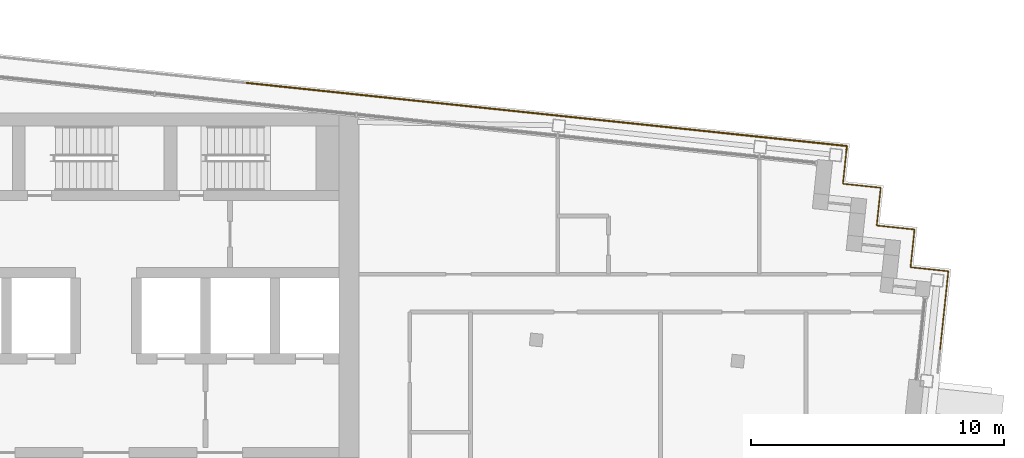
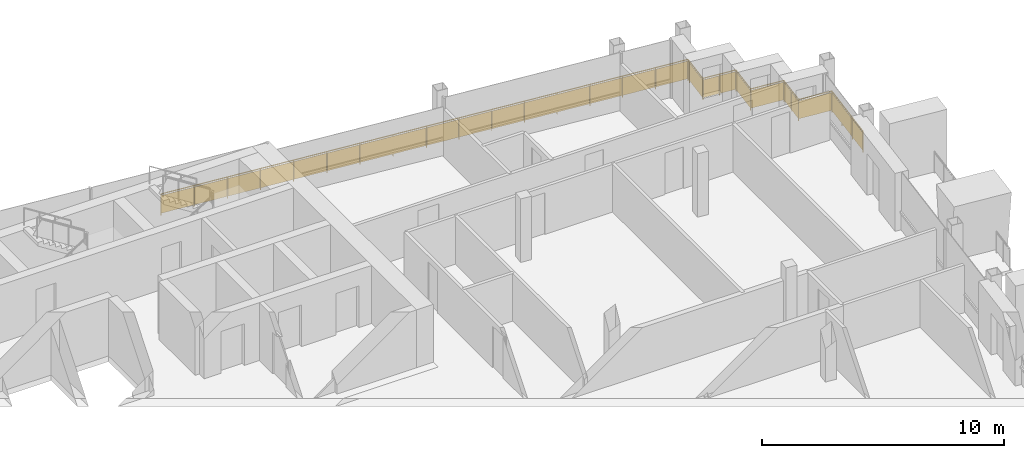
# One storey, part 17 of 17: 3 railings.
"""IFC4 building model written with IfcOpenShell, lengths in metres."""

from ifc_helpers import new_model, si_unit, direction, frame, origin, origin_2d, place, context, subcontext, project, spatial, rectangle, circle, extrude, material, type_object, element, save


model = new_model("IFC4")

# Units and contexts
model_context = context("Model", 3, precision=1e-05, world=origin(), true_north=direction((0.0, 1.0)))
body_context = subcontext(model_context, "Body", "Model", "MODEL_VIEW")
ifc_project = project(units=[si_unit("LENGTHUNIT", "METRE"), si_unit("AREAUNIT", "SQUARE_METRE"), si_unit("VOLUMEUNIT", "CUBIC_METRE"), si_unit("PLANEANGLEUNIT", "RADIAN"), si_unit("MASSUNIT", "GRAM", prefix="KILO")], contexts=[model_context])

# Site, building, storey
site_placement = place(None, origin())
site = spatial("IfcSite", under=ifc_project, at=site_placement, CompositionType="ELEMENT")
building_placement = place(site_placement, origin())
building = spatial("IfcBuilding", under=site, at=building_placement, Name="Vidyagriha Tower", CompositionType="ELEMENT")
storey_placement = place(building_placement, frame((0.0, 0.0, 265.89990234375)))
storey = spatial("IfcBuildingStorey", under=building, at=storey_placement, Name="L69", CompositionType="ELEMENT", Elevation=265.89990234375)

# Railings
ifc_material = material(Name="Steel ASTM A500 Grade C black painted", Category="steel")
railing_type = type_object("IfcRailingType", Name="Gallery guard 1100", PredefinedType="GUARDRAIL", material=ifc_material)
railing_1_placement = place(storey_placement, frame((5.55224609375, 21.196533203125, 0.0)))
element("IfcRailing", 1, at=railing_1_placement, inside=storey, type_object=railing_type, Name="Gallery guard L69 7", PredefinedType="GUARDRAIL", context=body_context, shape_type="SweptSolid", body=[
    extrude(circle(Radius=0.02490234375, at=origin_2d()), frame((0.0, 0.0, 1.0751953125), z_axis=(0.994521271903, -0.104534394972, 0.0), x_axis=(0.104534394972, 0.994521271903, 0.0)), (0.0, 0.0, 1.0), 11.999755859375),
    extrude(circle(Radius=0.02001953125, at=origin_2d()), origin(), (0.0, 0.0, 1.0), 1.050048828125),
    extrude(circle(Radius=0.02001953125, at=origin_2d()), frame((1.49169921875, -0.15673828125, 0.0)), (0.0, 0.0, 1.0), 1.050048828125),
    extrude(circle(Radius=0.02001953125, at=origin_2d()), frame((2.9833984375, -0.3134765625, 0.0)), (0.0, 0.0, 1.0), 1.050048828125),
    extrude(circle(Radius=0.02001953125, at=origin_2d()), frame((4.475341796875, -0.470458984375, 0.0)), (0.0, 0.0, 1.0), 1.050048828125),
    extrude(circle(Radius=0.02001953125, at=origin_2d()), frame((5.967041015625, -0.627197265625, 0.0)), (0.0, 0.0, 1.0), 1.050048828125),
    extrude(circle(Radius=0.02001953125, at=origin_2d()), frame((7.458740234375, -0.783935546875, 0.0)), (0.0, 0.0, 1.0), 1.050048828125),
    extrude(circle(Radius=0.02001953125, at=origin_2d()), frame((8.95068359375, -0.94091796875, 0.0)), (0.0, 0.0, 1.0), 1.050048828125),
    extrude(circle(Radius=0.02001953125, at=origin_2d()), frame((10.4423828125, -1.09765625, 0.0)), (0.0, 0.0, 1.0), 1.050048828125),
    extrude(circle(Radius=0.02001953125, at=origin_2d()), frame((11.93408203125, -1.25439453125, 0.0)), (0.0, 0.0, 1.0), 1.050048828125),
    extrude(rectangle(XDim=0.010009765625, YDim=0.900146484375, at=origin_2d()), frame((0.0, 0.0, 0.550048828125), z_axis=(0.994521271903, -0.104534394972, 0.0), x_axis=(0.104534394972, 0.994521271903, 0.0)), (0.0, 0.0, 1.0), 11.999755859375),
])
railing_2_placement = place(storey_placement, frame((17.486328125, 19.942138671875, 0.0)))
element("IfcRailing", 2, at=railing_2_placement, inside=storey, type_object=railing_type, Name="Gallery guard L69 8", PredefinedType="GUARDRAIL", context=body_context, shape_type="SweptSolid", body=[
    extrude(circle(Radius=0.02490234375, at=origin_2d()), frame((0.0, 0.0, 1.0751953125), z_axis=(0.994522500633, -0.104522704396, 0.0), x_axis=(0.104522704396, 0.994522500633, 0.0)), (0.0, 0.0, 1.0), 11.840087890625),
    extrude(circle(Radius=0.02490234375, at=origin_2d()), frame((11.775146484375, -1.237548828125, 1.0751953125), z_axis=(-0.105240535143, -0.994446795843, 0.0), x_axis=(0.994446795843, -0.105240535143, 0.0)), (0.0, 0.0, 1.0), 0.16015625),
    extrude(circle(Radius=0.02001953125, at=origin_2d()), origin(), (0.0, 0.0, 1.0), 1.050048828125),
    extrude(circle(Radius=0.02001953125, at=origin_2d()), frame((1.471923828125, -0.15478515625, 0.0)), (0.0, 0.0, 1.0), 1.050048828125),
    extrude(circle(Radius=0.02001953125, at=origin_2d()), frame((2.94384765625, -0.309326171875, 0.0)), (0.0, 0.0, 1.0), 1.050048828125),
    extrude(circle(Radius=0.02001953125, at=origin_2d()), frame((4.415771484375, -0.464111328125, 0.0)), (0.0, 0.0, 1.0), 1.050048828125),
    extrude(circle(Radius=0.02001953125, at=origin_2d()), frame((5.8876953125, -0.61865234375, 0.0)), (0.0, 0.0, 1.0), 1.050048828125),
    extrude(circle(Radius=0.02001953125, at=origin_2d()), frame((7.359375, -0.7734375, 0.0)), (0.0, 0.0, 1.0), 1.050048828125),
    extrude(circle(Radius=0.02001953125, at=origin_2d()), frame((8.831298828125, -0.92822265625, 0.0)), (0.0, 0.0, 1.0), 1.050048828125),
    extrude(circle(Radius=0.02001953125, at=origin_2d()), frame((10.30322265625, -1.082763671875, 0.0)), (0.0, 0.0, 1.0), 1.050048828125),
    extrude(circle(Radius=0.02001953125, at=origin_2d()), frame((11.775146484375, -1.237548828125, 0.0)), (0.0, 0.0, 1.0), 1.050048828125),
    extrude(circle(Radius=0.02001953125, at=origin_2d()), frame((11.75830078125, -1.396728515625, 0.0)), (0.0, 0.0, 1.0), 1.050048828125),
    extrude(rectangle(XDim=0.010009765625, YDim=0.900146484375, at=origin_2d()), frame((0.0, 0.0, 0.550048828125), z_axis=(0.994522500633, -0.104522704396, 0.0), x_axis=(0.104522704396, 0.994522500633, 0.0)), (0.0, 0.0, 1.0), 11.840087890625),
    extrude(rectangle(XDim=0.010009765625, YDim=0.900146484375, at=origin_2d()), frame((11.775146484375, -1.237548828125, 0.550048828125), z_axis=(-0.105240535143, -0.994446795843, 0.0), x_axis=(0.994446795843, -0.105240535143, 0.0)), (0.0, 0.0, 1.0), 0.16015625),
])
railing_3_placement = place(storey_placement, frame((29.24462890625, 18.54541015625, 0.0)))
element("IfcRailing", 3, at=railing_3_placement, inside=storey, type_object=railing_type, Name="Gallery guard L69 9", PredefinedType="GUARDRAIL", context=body_context, shape_type="SweptSolid", body=[
    extrude(circle(Radius=0.02490234375, at=origin_2d()), frame((0.0, 0.0, 1.0751953125), z_axis=(-0.104589933737, -0.994515432641, 0.0), x_axis=(0.994515432641, -0.104589933737, 0.0)), (0.0, 0.0, 1.0), 1.33984375),
    extrude(circle(Radius=0.02490234375, at=origin_2d()), frame((-0.14013671875, -1.33251953125, 1.0751953125), z_axis=(0.994509910675, -0.104642427191, 0.0), x_axis=(0.104642427191, 0.994509910675, 0.0)), (0.0, 0.0, 1.0), 1.500244140625),
    extrude(circle(Radius=0.02490234375, at=origin_2d()), frame((1.351806640625, -1.489501953125, 1.0751953125), z_axis=(-0.104498377516, -0.994525057048, 0.0), x_axis=(0.994525057048, -0.104498377516, 0.0)), (0.0, 0.0, 1.0), 1.5),
    extrude(circle(Radius=0.02490234375, at=origin_2d()), frame((1.195068359375, -2.981201171875, 1.0751953125), z_axis=(0.994525057048, -0.104498377516, 0.0), x_axis=(0.104498377516, 0.994525057048, 0.0)), (0.0, 0.0, 1.0), 1.5),
    extrude(circle(Radius=0.02490234375, at=origin_2d()), frame((2.686767578125, -3.137939453125, 1.0751953125), z_axis=(-0.104481464157, -0.994526834051, 0.0), x_axis=(0.994526834051, -0.104481464157, 0.0)), (0.0, 0.0, 1.0), 1.500244140625),
    extrude(circle(Radius=0.02490234375, at=origin_2d()), frame((2.530029296875, -4.6298828125, 1.0751953125), z_axis=(0.994525057048, -0.104498377516, 0.0), x_axis=(0.104498377516, 0.994525057048, 0.0)), (0.0, 0.0, 1.0), 1.5),
    extrude(circle(Radius=0.02490234375, at=origin_2d()), frame((4.021728515625, -4.78662109375, 1.0751953125), z_axis=(-0.104527942092, -0.994521950146, 0.0), x_axis=(0.994521950146, -0.104527942092, 0.0)), (0.0, 0.0, 1.0), 3.16015625),
    extrude(circle(Radius=0.02001953125, at=origin_2d()), origin(), (0.0, 0.0, 1.0), 1.050048828125),
    extrude(circle(Radius=0.02001953125, at=origin_2d()), frame((-0.14013671875, -1.33251953125, 0.0)), (0.0, 0.0, 1.0), 1.050048828125),
    extrude(circle(Radius=0.02001953125, at=origin_2d()), frame((0.60595703125, -1.4111328125, 0.0)), (0.0, 0.0, 1.0), 1.050048828125),
    extrude(circle(Radius=0.02001953125, at=origin_2d()), frame((1.351806640625, -1.489501953125, 0.0)), (0.0, 0.0, 1.0), 1.050048828125),
    extrude(circle(Radius=0.02001953125, at=origin_2d()), frame((1.195068359375, -2.981201171875, 0.0)), (0.0, 0.0, 1.0), 1.050048828125),
    extrude(circle(Radius=0.02001953125, at=origin_2d()), frame((2.686767578125, -3.137939453125, 0.0)), (0.0, 0.0, 1.0), 1.050048828125),
    extrude(circle(Radius=0.02001953125, at=origin_2d()), frame((2.6083984375, -3.8837890625, 0.0)), (0.0, 0.0, 1.0), 1.050048828125),
    extrude(circle(Radius=0.02001953125, at=origin_2d()), frame((2.530029296875, -4.6298828125, 0.0)), (0.0, 0.0, 1.0), 1.050048828125),
    extrude(circle(Radius=0.02001953125, at=origin_2d()), frame((4.021728515625, -4.78662109375, 0.0)), (0.0, 0.0, 1.0), 1.050048828125),
    extrude(circle(Radius=0.02001953125, at=origin_2d()), frame((3.91162109375, -5.834228515625, 0.0)), (0.0, 0.0, 1.0), 1.050048828125),
    extrude(circle(Radius=0.02001953125, at=origin_2d()), frame((3.801513671875, -6.8818359375, 0.0)), (0.0, 0.0, 1.0), 1.050048828125),
    extrude(circle(Radius=0.02001953125, at=origin_2d()), frame((3.69140625, -7.929443359375, 0.0)), (0.0, 0.0, 1.0), 1.050048828125),
    extrude(rectangle(XDim=0.010009765625, YDim=0.900146484375, at=origin_2d()), frame((0.0, 0.0, 0.550048828125), z_axis=(-0.104589933737, -0.994515432641, 0.0), x_axis=(0.994515432641, -0.104589933737, 0.0)), (0.0, 0.0, 1.0), 1.33984375),
    extrude(rectangle(XDim=0.010009765625, YDim=0.900146484375, at=origin_2d()), frame((-0.14013671875, -1.33251953125, 0.550048828125), z_axis=(0.994509910675, -0.104642427191, 0.0), x_axis=(0.104642427191, 0.994509910675, 0.0)), (0.0, 0.0, 1.0), 1.500244140625),
    extrude(rectangle(XDim=0.010009765625, YDim=0.900146484375, at=origin_2d()), frame((1.351806640625, -1.489501953125, 0.550048828125), z_axis=(-0.104498377516, -0.994525057048, 0.0), x_axis=(0.994525057048, -0.104498377516, 0.0)), (0.0, 0.0, 1.0), 1.5),
    extrude(rectangle(XDim=0.010009765625, YDim=0.900146484375, at=origin_2d()), frame((1.195068359375, -2.981201171875, 0.550048828125), z_axis=(0.994525057048, -0.104498377516, 0.0), x_axis=(0.104498377516, 0.994525057048, 0.0)), (0.0, 0.0, 1.0), 1.5),
    extrude(rectangle(XDim=0.010009765625, YDim=0.900146484375, at=origin_2d()), frame((2.686767578125, -3.137939453125, 0.550048828125), z_axis=(-0.104481464157, -0.994526834051, 0.0), x_axis=(0.994526834051, -0.104481464157, 0.0)), (0.0, 0.0, 1.0), 1.500244140625),
    extrude(rectangle(XDim=0.010009765625, YDim=0.900146484375, at=origin_2d()), frame((2.530029296875, -4.6298828125, 0.550048828125), z_axis=(0.994525057048, -0.104498377516, 0.0), x_axis=(0.104498377516, 0.994525057048, 0.0)), (0.0, 0.0, 1.0), 1.5),
    extrude(rectangle(XDim=0.010009765625, YDim=0.900146484375, at=origin_2d()), frame((4.021728515625, -4.78662109375, 0.550048828125), z_axis=(-0.104527942092, -0.994521950146, 0.0), x_axis=(0.994521950146, -0.104527942092, 0.0)), (0.0, 0.0, 1.0), 3.16015625),
])

save(model, "model.ifc")
